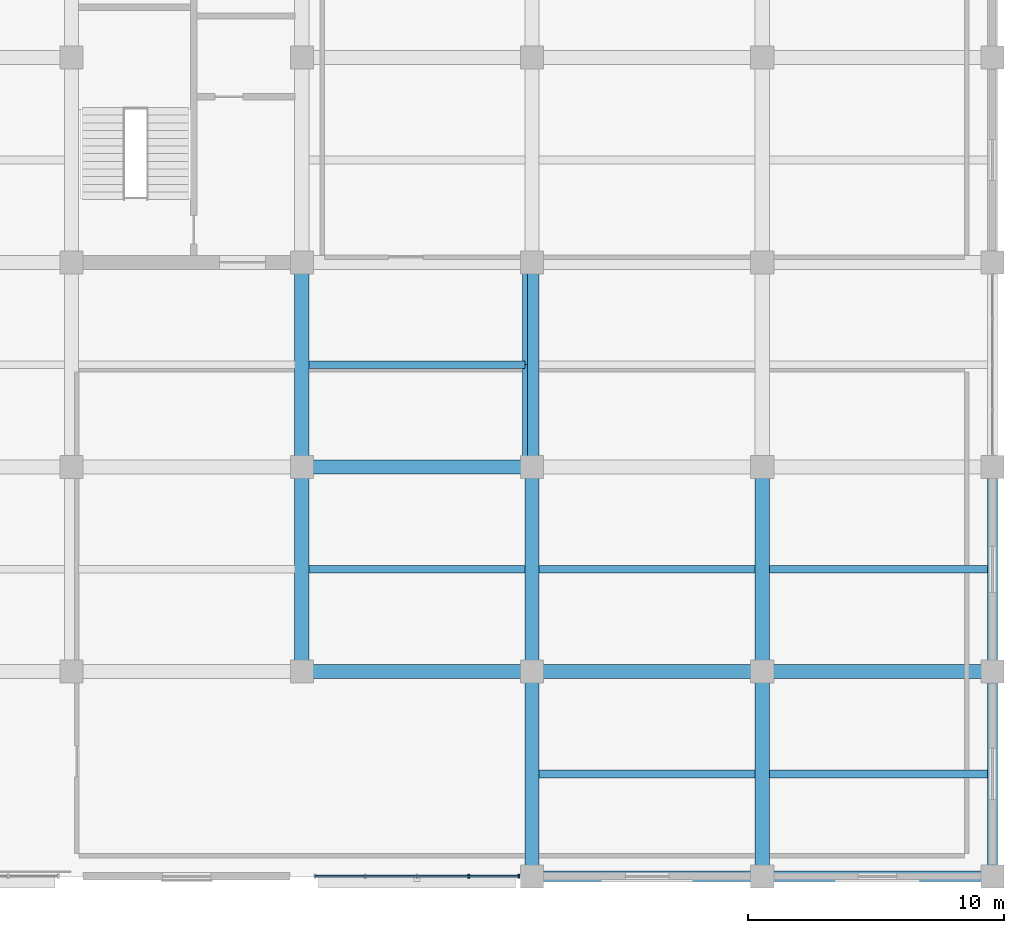
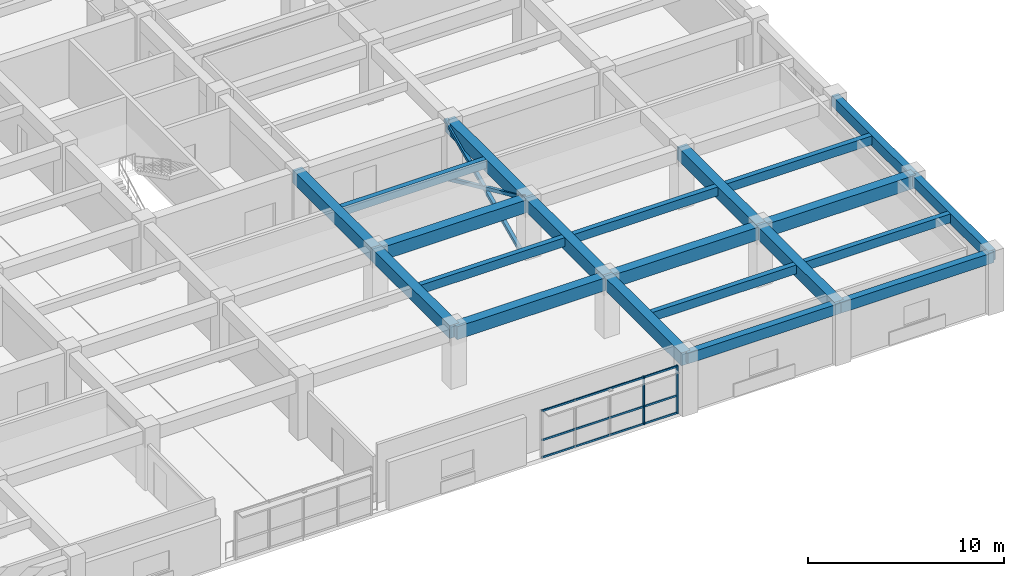
# One storey, part 6 of 16: 21 beams, 7 members, 1 element without a shape of its own.
"""IFC4 building model written with IfcOpenShell, lengths in metres."""

from ifc_helpers import new_model, si_unit, direction, frame, origin, origin_2d, place, context, subcontext, project, spatial, rectangle, hollow_rectangle, extrude, material, material_profile, profile_set, type_object, element, aggregate, save


model = new_model("IFC4")

# Units and contexts
model_context = context("Model", 3, precision=1e-05, world=origin(), true_north=direction((0.0, 1.0)))
body_context = subcontext(model_context, "Body", "Model", "MODEL_VIEW")
ifc_project = project(units=[si_unit("LENGTHUNIT", "METRE"), si_unit("AREAUNIT", "SQUARE_METRE"), si_unit("VOLUMEUNIT", "CUBIC_METRE"), si_unit("PLANEANGLEUNIT", "RADIAN"), si_unit("MASSUNIT", "GRAM", prefix="KILO")], contexts=[model_context])

# Site, building, storey
site_placement = place(None, origin())
site = spatial("IfcSite", under=ifc_project, at=site_placement, CompositionType="ELEMENT")
building_placement = place(site_placement, origin())
building = spatial("IfcBuilding", under=site, at=building_placement, Name="Zaverband Oceanarium and Marine Research Institute", CompositionType="ELEMENT")
storey_placement = place(building_placement, frame((0.0, 0.0, 29.699951171875)))
storey = spatial("IfcBuildingStorey", under=building, at=storey_placement, Name="L07", CompositionType="ELEMENT", Elevation=29.699951171875)

# Beams
ifc_material_1 = material(Name="Concrete C40/50", Category="concrete")
ifc_material_profile_1 = material_profile(ifc_material_1, rectangle(XDim=0.550048828125, YDim=0.800048828125, at=origin_2d()), Name="RC550x800")
ifc_profile_set_1 = profile_set([ifc_material_profile_1], Name="Concrete C40/50")
beam_type_1 = type_object("IfcBeamType", Name="BM-550x800", PredefinedType="BEAM", material=ifc_profile_set_1)
for number, where, z_axis, x_axis, name in (
    (1, (45.0, 72.0, 3.25), (1.0, 0.0, 0.0), (0.0, 1.0, 0.0), "Primary floor girder BM-550x800"),
    (2, (54.0, 72.0, 3.25), (1.0, 0.0, 0.0), (0.0, 1.0, 0.0), "Primary floor girder BM-550x800"),
    (3, (63.0, 72.0, 3.25), (1.0, 0.0, 0.0), (0.0, 1.0, 0.0), "Primary floor girder BM-550x800"),
    (4, (45.0, 80.0, 3.25), (1.0, 0.0, 0.0), (0.0, 1.0, 0.0), "Primary floor girder BM-550x800"),
):
    element("IfcBeam", number, at=place(storey_placement, frame(where, z_axis=z_axis, x_axis=x_axis)), inside=storey, type_object=beam_type_1, Name=name, PredefinedType="BEAM", context=body_context, shape_type="SweptSolid", body=[
        extrude(rectangle(XDim=0.550048828125, YDim=0.800048828125, at=origin_2d()), origin(), (0.0, 0.0, 1.0), 9.0),
    ])
for number, where, z_axis, x_axis, name in (
    (5, (45.0, 72.0, 3.25), (0.0, 1.0, 0.0), (-1.0, 0.0, 0.0), "Primary floor girder BM-550x800"),
    (6, (45.0, 80.0, 3.25), (0.0, 1.0, 0.0), (-1.0, 0.0, 0.0), "Primary floor girder BM-550x800"),
    (7, (54.0, 64.0, 3.25), (0.0, 1.0, 0.0), (-1.0, 0.0, 0.0), "Primary floor girder BM-550x800"),
    (8, (54.0, 72.0, 3.25), (0.0, 1.0, 0.0), (-1.0, 0.0, 0.0), "Primary floor girder BM-550x800"),
    (9, (54.0, 80.0, 3.25), (0.0, 1.0, 0.0), (-1.0, 0.0, 0.0), "Primary floor girder BM-550x800"),
    (10, (63.0, 64.0, 3.25), (0.0, 1.0, 0.0), (-1.0, 0.0, 0.0), "Primary floor girder BM-550x800"),
    (11, (63.0, 72.0, 3.25), (0.0, 1.0, 0.0), (-1.0, 0.0, 0.0), "Primary floor girder BM-550x800"),
):
    element("IfcBeam", number, at=place(storey_placement, frame(where, z_axis=z_axis, x_axis=x_axis)), inside=storey, type_object=beam_type_1, Name=name, PredefinedType="BEAM", context=body_context, shape_type="SweptSolid", body=[
        extrude(rectangle(XDim=0.550048828125, YDim=0.800048828125, at=origin_2d()), origin(), (0.0, 0.0, 1.0), 8.0),
    ])

# Members
ifc_material_2 = material(Name="Steel S355", Category="steel")
ifc_material_profile_2 = material_profile(ifc_material_2, hollow_rectangle(XDim=0.199951171875, YDim=0.199951171875, WallThickness=0.010009765625, at=origin_2d()), Name="SHS200x200x10")
ifc_profile_set_2 = profile_set([ifc_material_profile_2], Name="Steel S355")
member_type_1 = type_object("IfcMemberType", Name="BR-03", PredefinedType="BRACE", material=ifc_profile_set_2)
for number, where, z_axis, x_axis, name in (
    (12, (53.719970703125, 80.0, 0.0), (0.0, 0.90977508744, 0.415101542124), (-1.0, 0.0, 0.0), "Diagonal lateral brace BR-03"),
    (13, (53.719970703125, 88.0, 0.0), (0.0, -0.90977508744, 0.415101542124), (1.0, 0.0, 0.0), "Diagonal lateral brace BR-03"),
):
    element("IfcMember", number, at=place(storey_placement, frame(where, z_axis=z_axis, x_axis=x_axis)), inside=storey, type_object=member_type_1, Name=name, PredefinedType="BRACE", context=body_context, shape_type="SweptSolid", body=[
        extrude(hollow_rectangle(XDim=0.199951171875, YDim=0.199951171875, WallThickness=0.010009765625, at=origin_2d()), origin(), (0.0, 0.0, 1.0), 8.79345703125),
    ])

# Beams
ifc_material_profile_3 = material_profile(ifc_material_1, rectangle(XDim=0.300048828125, YDim=0.550048828125, at=origin_2d()), Name="RC300x550")
ifc_profile_set_3 = profile_set([ifc_material_profile_3], Name="Concrete C40/50")
beam_type_2 = type_object("IfcBeamType", Name="JST-300x550", PredefinedType="JOIST", material=ifc_profile_set_3)
for number, where, z_axis, x_axis, name in (
    (14, (45.27490234375, 76.0, 3.375), (1.0, 0.0, 0.0), (0.0, 1.0, 0.0), "Secondary floor joist JST-300x550"),
    (15, (45.27490234375, 84.0, 3.375), (1.0, 0.0, 0.0), (0.0, 1.0, 0.0), "Secondary floor joist JST-300x550"),
    (16, (54.27490234375, 68.0, 3.375), (1.0, 0.0, 0.0), (0.0, 1.0, 0.0), "Secondary floor joist JST-300x550"),
    (17, (54.27490234375, 76.0, 3.375), (1.0, 0.0, 0.0), (0.0, 1.0, 0.0), "Secondary floor joist JST-300x550"),
):
    element("IfcBeam", number, at=place(storey_placement, frame(where, z_axis=z_axis, x_axis=x_axis)), inside=storey, type_object=beam_type_2, Name=name, PredefinedType="JOIST", context=body_context, shape_type="SweptSolid", body=[
        extrude(rectangle(XDim=0.300048828125, YDim=0.550048828125, at=origin_2d()), origin(), (0.0, 0.0, 1.0), 8.4501953125),
    ])
for number, where, z_axis, x_axis, name in (
    (18, (63.27490234375, 68.0, 3.375), (1.0, 0.0, 0.0), (0.0, 1.0, 0.0), "Secondary floor joist JST-300x550"),
    (19, (63.27490234375, 76.0, 3.375), (1.0, 0.0, 0.0), (0.0, 1.0, 0.0), "Secondary floor joist JST-300x550"),
):
    element("IfcBeam", number, at=place(storey_placement, frame(where, z_axis=z_axis, x_axis=x_axis)), inside=storey, type_object=beam_type_2, Name=name, PredefinedType="JOIST", context=body_context, shape_type="SweptSolid", body=[
        extrude(rectangle(XDim=0.300048828125, YDim=0.550048828125, at=origin_2d()), origin(), (0.0, 0.0, 1.0), 8.525146484375),
    ])

# Curtain wall, members
ifc_material_3 = material(Name="Thermally broken anodized aluminium and solar-control glass", Category="aluminium")
curtain_wall_type = type_object("IfcCurtainWallType", Name="CW-UNIT-1800", PredefinedType="NOTDEFINED", material=ifc_material_3)
curtain_wall_placement = place(storey_placement, origin())
curtain_wall = element("IfcCurtainWall", 20, at=curtain_wall_placement, inside=storey, type_object=curtain_wall_type, Name="Unitised glazed curtain wall CW-087", PredefinedType="NOTDEFINED")
ifc_material_4 = material(Name="Thermally broken anodized aluminium", Category="aluminium")
ifc_material_profile_4 = material_profile(ifc_material_4, rectangle(XDim=0.070068359375, YDim=0.14990234375, at=origin_2d()), Name="AL-MUL-70x150")
ifc_profile_set_4 = profile_set([ifc_material_profile_4], Name="Thermally broken anodized aluminium")
member_type_2 = type_object("IfcMemberType", Name="MUL-70x150", PredefinedType="MULLION", material=ifc_profile_set_4)
member_1_placement = place(storey_placement, frame((51.5224609375, 64.0, 0.0), z_axis=(0.0, 0.0, 1.0), x_axis=(1.0, 0.0, 0.0)))
member_1 = element("IfcMember", 21, at=member_1_placement, type_object=member_type_2, Name="Curtain wall vertical mullion MUL-70x150", PredefinedType="MULLION", context=body_context, shape_type="SweptSolid", body=[
    extrude(rectangle(XDim=0.070068359375, YDim=0.14990234375, at=origin_2d()), origin(), (0.0, 0.0, 1.0), 2.97998046875),
])
member_2_placement = place(storey_placement, frame((53.485107421875, 64.0, 0.0), z_axis=(0.0, 0.0, 1.0), x_axis=(1.0, 0.0, 0.0)))
member_2 = element("IfcMember", 22, at=member_2_placement, type_object=member_type_2, Name="Curtain wall vertical mullion MUL-70x150", PredefinedType="MULLION", context=body_context, shape_type="SweptSolid", body=[
    extrude(rectangle(XDim=0.070068359375, YDim=0.14990234375, at=origin_2d()), origin(), (0.0, 0.0, 1.0), 2.97998046875),
])

# Beams
ifc_material_profile_5 = material_profile(ifc_material_1, rectangle(XDim=0.39990234375, YDim=0.64990234375, at=origin_2d()), Name="RC400x650")
ifc_profile_set_5 = profile_set([ifc_material_profile_5], Name="Concrete C40/50")
beam_type_3 = type_object("IfcBeamType", Name="SPN-400x650", PredefinedType="SPANDREL", material=ifc_profile_set_5)
for number, where, z_axis, x_axis, name in (
    (23, (54.0, 64.0, 3.324951171875), (1.0, 0.0, 0.0), (0.0, 1.0, 0.0), "Perimeter spandrel beam SPN-400x650"),
    (24, (63.0, 64.0, 3.324951171875), (1.0, 0.0, 0.0), (0.0, 1.0, 0.0), "Perimeter spandrel beam SPN-400x650"),
):
    element("IfcBeam", number, at=place(storey_placement, frame(where, z_axis=z_axis, x_axis=x_axis)), inside=storey, type_object=beam_type_3, Name=name, PredefinedType="SPANDREL", context=body_context, shape_type="SweptSolid", body=[
        extrude(rectangle(XDim=0.39990234375, YDim=0.64990234375, at=origin_2d()), origin(), (0.0, 0.0, 1.0), 9.0),
    ])
for number, where, z_axis, x_axis, name in (
    (25, (72.0, 64.0, 3.324951171875), (0.0, 1.0, 0.0), (-1.0, 0.0, 0.0), "Perimeter spandrel beam SPN-400x650"),
    (26, (72.0, 72.0, 3.324951171875), (0.0, 1.0, 0.0), (-1.0, 0.0, 0.0), "Perimeter spandrel beam SPN-400x650"),
):
    element("IfcBeam", number, at=place(storey_placement, frame(where, z_axis=z_axis, x_axis=x_axis)), inside=storey, type_object=beam_type_3, Name=name, PredefinedType="SPANDREL", context=body_context, shape_type="SweptSolid", body=[
        extrude(rectangle(XDim=0.39990234375, YDim=0.64990234375, at=origin_2d()), origin(), (0.0, 0.0, 1.0), 8.0),
    ])

# Member
ifc_material_profile_6 = material_profile(ifc_material_4, rectangle(XDim=0.070068359375, YDim=0.114990234375, at=origin_2d()), Name="AL-TRN-70x115")
ifc_profile_set_6 = profile_set([ifc_material_profile_6], Name="Thermally broken anodized aluminium")
member_type_3 = type_object("IfcMemberType", Name="TRN-70x115", PredefinedType="USERDEFINED", material=ifc_profile_set_6)
member_3_placement = place(storey_placement, frame((45.514892578125, 64.0, 0.050048828125), z_axis=(1.0, 0.0, 0.0), x_axis=(0.0, 1.0, 0.0)))
member_3 = element("IfcMember", 27, at=member_3_placement, type_object=member_type_3, Name="Curtain wall horizontal transom TRN-70x115", ObjectType="TRANSOM", PredefinedType="USERDEFINED", context=body_context, shape_type="SweptSolid", body=[
    extrude(rectangle(XDim=0.070068359375, YDim=0.114990234375, at=origin_2d()), origin(), (0.0, 0.0, 1.0), 7.97021484375),
])

member_4_placement = place(storey_placement, frame((45.514892578125, 64.0, 1.123046875), z_axis=(1.0, 0.0, 0.0), x_axis=(0.0, 1.0, 0.0)))
member_4 = element("IfcMember", 28, at=member_4_placement, type_object=member_type_3, Name="Curtain wall horizontal transom TRN-70x115", ObjectType="TRANSOM", PredefinedType="USERDEFINED", context=body_context, shape_type="SweptSolid", body=[
    extrude(rectangle(XDim=0.070068359375, YDim=0.114990234375, at=origin_2d()), origin(), (0.0, 0.0, 1.0), 7.97021484375),
])

member_5_placement = place(storey_placement, frame((45.514892578125, 64.0, 2.929931640625), z_axis=(1.0, 0.0, 0.0), x_axis=(0.0, 1.0, 0.0)))
member_5 = element("IfcMember", 29, at=member_5_placement, type_object=member_type_3, Name="Curtain wall horizontal transom TRN-70x115", ObjectType="TRANSOM", PredefinedType="USERDEFINED", context=body_context, shape_type="SweptSolid", body=[
    extrude(rectangle(XDim=0.070068359375, YDim=0.114990234375, at=origin_2d()), origin(), (0.0, 0.0, 1.0), 7.97021484375),
])

aggregate(curtain_wall, [member_1, member_2, member_3, member_4, member_5])

save(model, "model.ifc")
